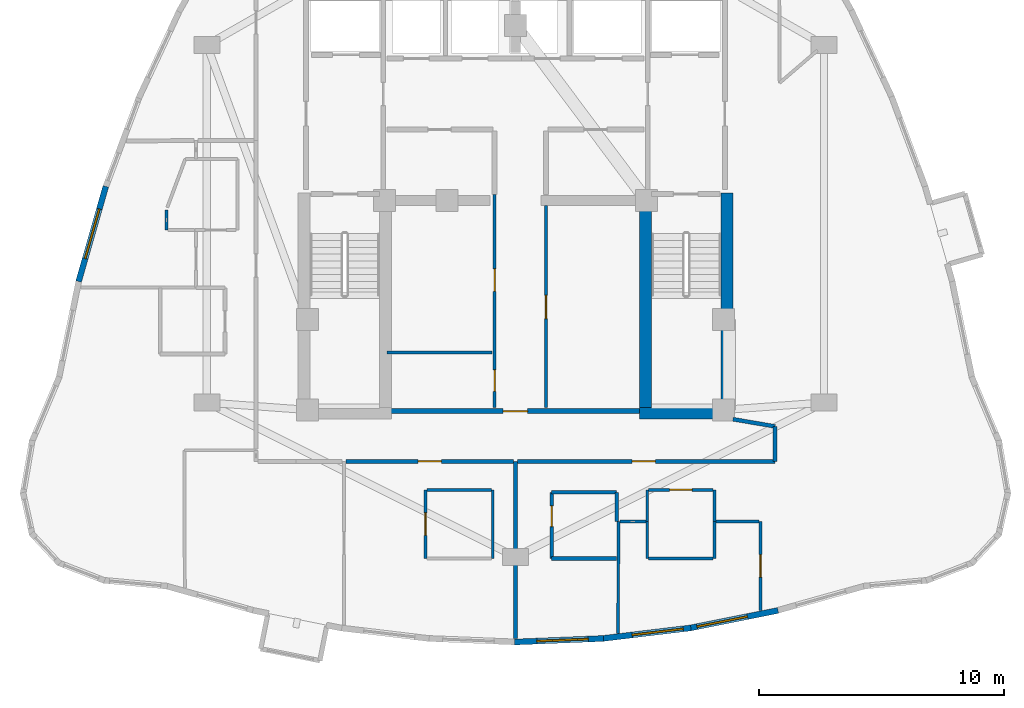
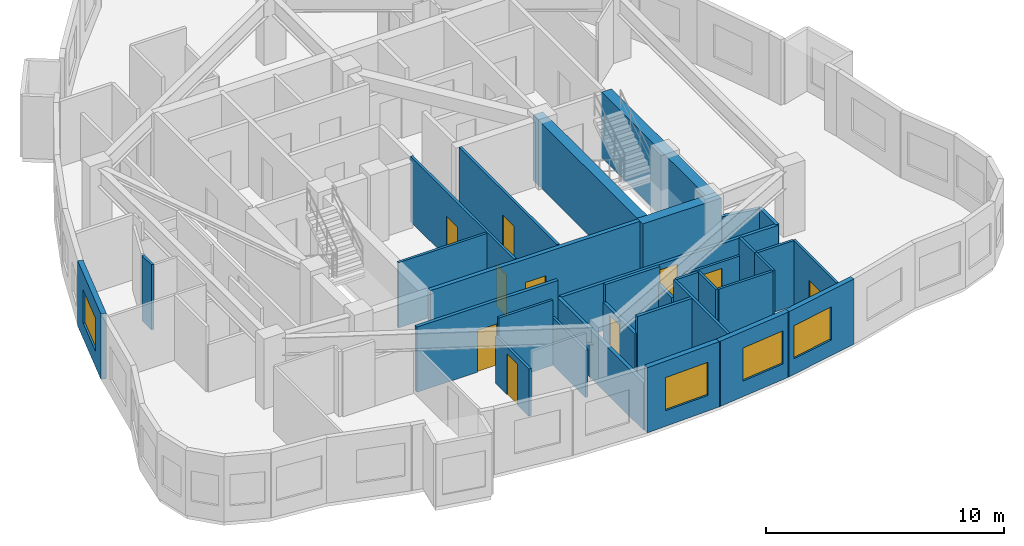
# One storey, part 8 of 13: 34 walls, 10 doors, 4 windows, 14 openings.
"""IFC4 building model written with IfcOpenShell, lengths in metres."""

from ifc_helpers import new_model, si_unit, direction, frame, frame_2d, origin, place, context, subcontext, project, spatial, rectangle, extrude, material, layer, layer_set, type_object, element, fill, save


model = new_model("IFC4")

# Units and contexts
model_context = context("Model", 3, precision=1e-05, world=origin(), true_north=direction((0.0, 1.0)))
body_context = subcontext(model_context, "Body", "Model", "MODEL_VIEW")
ifc_project = project(units=[si_unit("LENGTHUNIT", "METRE"), si_unit("AREAUNIT", "SQUARE_METRE"), si_unit("VOLUMEUNIT", "CUBIC_METRE"), si_unit("PLANEANGLEUNIT", "RADIAN"), si_unit("MASSUNIT", "GRAM", prefix="KILO")], contexts=[model_context])

# Site, building, storey
site_placement = place(None, origin())
site = spatial("IfcSite", under=ifc_project, at=site_placement, CompositionType="ELEMENT")
building_placement = place(site_placement, origin())
building = spatial("IfcBuilding", under=site, at=building_placement, Name="Miruveldt Soraemaru", CompositionType="ELEMENT")
storey_placement = place(building_placement, frame((0.0, 0.0, 205.199951171875)))
storey = spatial("IfcBuildingStorey", under=building, at=storey_placement, Name="L56", CompositionType="ELEMENT", Elevation=205.199951171875)

# Walls
ifc_material_1 = material(Name="Concrete C60/75 (60 MPa)", Category="concrete")
ifc_layer_1 = layer(ifc_material_1, 0.47998046875, Name="Concrete C60/75 (60 MPa)", Category="concrete")
ifc_layer_set_1 = layer_set([ifc_layer_1], Name="Concrete C60/75 (60 MPa)")
wall_type_1 = type_object("IfcWallType", Name="WALL-CW-480", PredefinedType="SHEAR", material=ifc_layer_set_1)
wall_1_placement = place(storey_placement, frame((49.070068359375, 35.360107421875, 0.0), z_axis=(0.0, 0.0, 1.0), x_axis=(1.0, 0.0, 0.0)))
element("IfcWall", 1, at=wall_1_placement, inside=storey, type_object=wall_type_1, Name="L56 Central Core Shear Wall S2", PredefinedType="SHEAR", context=body_context, shape_type="SweptSolid", body=[
    extrude(rectangle(XDim=3.809814453125, YDim=0.47998046875, at=frame_2d((1.90478515625, 0.0))), origin(), (0.0, 0.0, 1.0), 3.344970703125),
])
wall_2_placement = place(storey_placement, frame((52.639892578125, 35.1201171875, 0.0), z_axis=(0.0, 0.0, 1.0), x_axis=(0.0, 1.0, 0.0)))
element("IfcWall", 2, at=wall_2_placement, inside=storey, type_object=wall_type_1, Name="L56 Central Core Shear Wall E1", PredefinedType="SHEAR", context=body_context, shape_type="SweptSolid", body=[
    extrude(rectangle(XDim=9.22998046875, YDim=0.47998046875, at=frame_2d((4.614990234375, 0.0))), origin(), (0.0, 0.0, 1.0), 3.344970703125),
])
wall_3_placement = place(storey_placement, frame((49.31005859375, 35.39990234375, 0.0), z_axis=(0.0, 0.0, 1.0), x_axis=(0.0, 1.0, 0.0)))
element("IfcWall", 3, at=wall_3_placement, inside=storey, type_object=wall_type_1, Name="L56 Central Core Shear Wall SE-INT", PredefinedType="SHEAR", context=body_context, shape_type="SweptSolid", body=[
    extrude(rectangle(XDim=8.9501953125, YDim=0.47998046875, at=frame_2d((4.47509765625, 0.0))), origin(), (0.0, 0.0, 1.0), 3.344970703125),
])

# Wall, opening, window
ifc_material_2 = material(Name="Precast concrete C45/55 (45 MPa)", Category="concrete")
ifc_layer_2 = layer(ifc_material_2, 0.239990234375, Name="Precast concrete C45/55 (45 MPa)", Category="concrete")
ifc_layer_set_2 = layer_set([ifc_layer_2], Name="Precast concrete C45/55 (45 MPa)")
wall_type_2 = type_object("IfcWallType", Name="WALL-EXT-PC240", PredefinedType="SOLIDWALL", material=ifc_layer_set_2)
wall_4_placement = place(storey_placement, frame((27.270263671875, 44.625732421875, 0.0), z_axis=(0.0, 0.0, 1.0), x_axis=(-0.274960878959, -0.961455415005, 0.0)))
wall_4 = element("IfcWall", 4, at=wall_4_placement, inside=storey, type_object=wall_type_2, Name="L56 Precast Concrete Facade Wall 13", PredefinedType="SOLIDWALL", context=body_context, shape_type="SweptSolid", body=[
    extrude(rectangle(XDim=4.03466796875, YDim=0.239990234375, at=frame_2d((2.017333984375, 0.0))), origin(), (0.0, 0.0, 1.0), 3.344970703125),
])
opening_1_placement = place(wall_4_placement, frame((0.9580078125, 0.0, 0.800048828125)))
opening_1 = element("IfcOpeningElement", 5, at=opening_1_placement, cuts=wall_4, Name="Opening WN-1", PredefinedType="OPENING", context=body_context, shape_type="SweptSolid", body=[
    extrude(rectangle(XDim=2.10009765625, YDim=1.699951171875, at=frame_2d((1.050048828125, 0.85009765625))), frame((0.0, 0.1298828125, 0.0), z_axis=(0.0, -1.0, 0.0), x_axis=(1.0, 0.0, 0.0)), (0.0, 0.0, 1.0), 0.260009765625),
])
ifc_material_3 = material(Name="Triple low-e insulated glazing", Category="glass")
window_type = type_object("IfcWindowType", Name="WIN-PUNCH-2100x1700", PartitioningType="SINGLE_PANEL", PredefinedType="WINDOW", material=ifc_material_3)
window_1_placement = place(opening_1_placement, origin())
window_1 = element("IfcWindow", 6, at=window_1_placement, inside=storey, type_object=window_type, Name="L56 Punched Triple-Glazed Window 13.1", OverallHeight=1.699951171875, OverallWidth=2.10009765625, PartitioningType="SINGLE_PANEL", PredefinedType="WINDOW", context=body_context, shape_type="SweptSolid", body=[
    extrude(rectangle(XDim=2.10009765625, YDim=1.699951171875, at=frame_2d((1.050048828125, 0.85009765625))), frame((0.0, 0.030029296875, 0.0), z_axis=(0.0, -1.0, 0.0), x_axis=(1.0, 0.0, 0.0)), (0.0, 0.0, 1.0), 0.06005859375),
])
fill(opening_1, window_1)

wall_5_placement = place(storey_placement, frame((43.965087890625, 26.022705078125, 0.0), z_axis=(0.0, 0.0, 1.0), x_axis=(0.999201387771, 0.039957310688, 0.0)))
wall_5 = element("IfcWall", 7, at=wall_5_placement, inside=storey, type_object=wall_type_2, Name="L56 Precast Concrete Facade Wall 25", PredefinedType="SOLIDWALL", context=body_context, shape_type="SweptSolid", body=[
    extrude(rectangle(XDim=3.635498046875, YDim=0.239990234375, at=frame_2d((1.81787109375, 0.0))), origin(), (0.0, 0.0, 1.0), 3.344970703125),
])
opening_2_placement = place(wall_5_placement, frame((0.907958984375, 0.0, 0.800048828125)))
opening_2 = element("IfcOpeningElement", 8, at=opening_2_placement, cuts=wall_5, Name="Opening WN-1", PredefinedType="OPENING", context=body_context, shape_type="SweptSolid", body=[
    extrude(rectangle(XDim=2.10009765625, YDim=1.699951171875, at=frame_2d((1.050048828125, 0.85009765625))), frame((0.0, 0.1298828125, 0.0), z_axis=(0.0, -1.0, 0.0), x_axis=(1.0, 0.0, 0.0)), (0.0, 0.0, 1.0), 0.260009765625),
])
window_2_placement = place(opening_2_placement, origin())
window_2 = element("IfcWindow", 9, at=window_2_placement, inside=storey, type_object=window_type, Name="L56 Punched Triple-Glazed Window 25.1", OverallHeight=1.699951171875, OverallWidth=2.10009765625, PartitioningType="SINGLE_PANEL", PredefinedType="WINDOW", context=body_context, shape_type="SweptSolid", body=[
    extrude(rectangle(XDim=2.10009765625, YDim=1.699951171875, at=frame_2d((1.050048828125, 0.85009765625))), frame((0.0, 0.030029296875, 0.0), z_axis=(0.0, -1.0, 0.0), x_axis=(1.0, 0.0, 0.0)), (0.0, 0.0, 1.0), 0.06005859375),
])
fill(opening_2, window_2)

wall_6_placement = place(storey_placement, frame((47.52783203125, 26.162353515625, 0.0), z_axis=(0.0, 0.0, 1.0), x_axis=(0.992878733164, 0.119129430577, 0.0)))
wall_6 = element("IfcWall", 10, at=wall_6_placement, inside=storey, type_object=wall_type_2, Name="L56 Precast Concrete Facade Wall 26", PredefinedType="SOLIDWALL", context=body_context, shape_type="SweptSolid", body=[
    extrude(rectangle(XDim=3.658203125, YDim=0.239990234375, at=frame_2d((1.8291015625, 0.0))), origin(), (0.0, 0.0, 1.0), 3.344970703125),
])
opening_3_placement = place(wall_6_placement, frame((1.241943359375, 0.0, 0.800048828125)))
opening_3 = element("IfcOpeningElement", 11, at=opening_3_placement, cuts=wall_6, Name="Opening WN-1", PredefinedType="OPENING", context=body_context, shape_type="SweptSolid", body=[
    extrude(rectangle(XDim=2.10009765625, YDim=1.699951171875, at=frame_2d((1.050048828125, 0.85009765625))), frame((0.0, 0.1298828125, 0.0), z_axis=(0.0, -1.0, 0.0), x_axis=(1.0, 0.0, 0.0)), (0.0, 0.0, 1.0), 0.260009765625),
])
window_3_placement = place(opening_3_placement, origin())
window_3 = element("IfcWindow", 12, at=window_3_placement, inside=storey, type_object=window_type, Name="L56 Punched Triple-Glazed Window 26.1", OverallHeight=1.699951171875, OverallWidth=2.10009765625, PartitioningType="SINGLE_PANEL", PredefinedType="WINDOW", context=body_context, shape_type="SweptSolid", body=[
    extrude(rectangle(XDim=2.10009765625, YDim=1.699951171875, at=frame_2d((1.050048828125, 0.85009765625))), frame((0.0, 0.030029296875, 0.0), z_axis=(0.0, -1.0, 0.0), x_axis=(1.0, 0.0, 0.0)), (0.0, 0.0, 1.0), 0.06005859375),
])
fill(opening_3, window_3)

wall_7_placement = place(storey_placement, frame((51.0908203125, 26.587158203125, 0.0), z_axis=(0.0, 0.0, 1.0), x_axis=(0.980575603831, 0.196141492732, 0.0)))
wall_7 = element("IfcWall", 13, at=wall_7_placement, inside=storey, type_object=wall_type_2, Name="L56 Precast Concrete Facade Wall 27", PredefinedType="SOLIDWALL", context=body_context, shape_type="SweptSolid", body=[
    extrude(rectangle(XDim=3.703125, YDim=0.239990234375, at=frame_2d((1.8515625, 0.0))), origin(), (0.0, 0.0, 1.0), 3.344970703125),
])
opening_4_placement = place(wall_7_placement, frame((0.327880859375, 0.0, 0.800048828125)))
opening_4 = element("IfcOpeningElement", 14, at=opening_4_placement, cuts=wall_7, Name="Opening WN-1", PredefinedType="OPENING", context=body_context, shape_type="SweptSolid", body=[
    extrude(rectangle(XDim=2.10009765625, YDim=1.699951171875, at=frame_2d((1.050048828125, 0.85009765625))), frame((0.0, 0.1298828125, 0.0), z_axis=(0.0, -1.0, 0.0), x_axis=(1.0, 0.0, 0.0)), (0.0, 0.0, 1.0), 0.260009765625),
])
window_4_placement = place(opening_4_placement, origin())
window_4 = element("IfcWindow", 15, at=window_4_placement, inside=storey, type_object=window_type, Name="L56 Punched Triple-Glazed Window 27.1", OverallHeight=1.699951171875, OverallWidth=2.10009765625, PartitioningType="SINGLE_PANEL", PredefinedType="WINDOW", context=body_context, shape_type="SweptSolid", body=[
    extrude(rectangle(XDim=2.10009765625, YDim=1.699951171875, at=frame_2d((1.050048828125, 0.85009765625))), frame((0.0, 0.030029296875, 0.0), z_axis=(0.0, -1.0, 0.0), x_axis=(1.0, 0.0, 0.0)), (0.0, 0.0, 1.0), 0.06005859375),
])
fill(opening_4, window_4)

# Wall, openings, doors
ifc_material_4 = material(Name="Gypsum plasterboard lining", Category="gypsum")
ifc_layer_3 = layer(ifc_material_4, 0.1201171875, Name="Gypsum plasterboard lining", Category="gypsum")
ifc_layer_set_3 = layer_set([ifc_layer_3], Name="Gypsum plasterboard lining")
wall_type_3 = type_object("IfcWallType", Name="WALL-INT-P120", PredefinedType="PARTITIONING", material=ifc_layer_set_3)
wall_8_placement = place(storey_placement, frame((43.14990234375, 35.60009765625, 0.0), z_axis=(0.0, 0.0, 1.0), x_axis=(0.0, 1.0, 0.0)))
wall_8 = element("IfcWall", 16, at=wall_8_placement, inside=storey, type_object=wall_type_3, Name="L56 Core Compartment Wall SP-WL", PredefinedType="PARTITIONING", context=body_context, shape_type="SweptSolid", body=[
    extrude(rectangle(XDim=8.699951171875, YDim=0.1201171875, at=frame_2d((4.35009765625, 0.0))), origin(), (0.0, 0.0, 1.0), 3.344970703125),
])
opening_5_placement = place(wall_8_placement, frame((0.659912109375, 0.0, 0.0)))
opening_5 = element("IfcOpeningElement", 17, at=opening_5_placement, cuts=wall_8, Name="Opening D4", PredefinedType="OPENING", context=body_context, shape_type="SweptSolid", body=[
    extrude(rectangle(XDim=0.8798828125, YDim=2.10009765625, at=frame_2d((0.43994140625, 1.050048828125))), frame((0.0, 0.070068359375, 0.0), z_axis=(0.0, -1.0, 0.0), x_axis=(1.0, 0.0, 0.0)), (0.0, 0.0, 1.0), 0.14013671875),
])
opening_6_placement = place(wall_8_placement, frame((4.739990234375, 0.0, 0.0)))
opening_6 = element("IfcOpeningElement", 18, at=opening_6_placement, cuts=wall_8, Name="Opening D3A", PredefinedType="OPENING", context=body_context, shape_type="SweptSolid", body=[
    extrude(rectangle(XDim=0.919921875, YDim=2.10009765625, at=frame_2d((0.4599609375, 1.050048828125))), frame((0.0, 0.070068359375, 0.0), z_axis=(0.0, -1.0, 0.0), x_axis=(1.0, 0.0, 0.0)), (0.0, 0.0, 1.0), 0.14013671875),
])
ifc_material_5 = material(Name="Anodised aluminium EN AW-6063 T6", Category="aluminium")
door_type_1 = type_object("IfcDoorType", Name="DOOR-INT-880", OperationType="NOTDEFINED", PredefinedType="DOOR", material=ifc_material_5)
door_1_placement = place(opening_5_placement, origin())
door_1 = element("IfcDoor", 19, at=door_1_placement, inside=storey, type_object=door_type_1, Name="L56 Fire Door", OperationType="SINGLE_SWING_LEFT", OverallHeight=2.10009765625, OverallWidth=0.8798828125, PredefinedType="DOOR", context=body_context, shape_type="SweptSolid", body=[
    extrude(rectangle(XDim=0.8798828125, YDim=2.10009765625, at=frame_2d((0.43994140625, 1.050048828125))), frame((0.0, 0.02490234375, 0.0), z_axis=(0.0, -1.0, 0.0), x_axis=(1.0, 0.0, 0.0)), (0.0, 0.0, 1.0), 0.050048828125),
])
fill(opening_5, door_1)
door_type_2 = type_object("IfcDoorType", Name="DOOR-INT-920", OperationType="NOTDEFINED", PredefinedType="DOOR", material=ifc_material_5)
door_2_placement = place(opening_6_placement, origin())
door_2 = element("IfcDoor", 20, at=door_2_placement, inside=storey, type_object=door_type_2, Name="L56 Fire Door", OperationType="SINGLE_SWING_LEFT", OverallHeight=2.10009765625, OverallWidth=0.919921875, PredefinedType="DOOR", context=body_context, shape_type="SweptSolid", body=[
    extrude(rectangle(XDim=0.919921875, YDim=2.10009765625, at=frame_2d((0.4599609375, 1.050048828125))), frame((0.0, 0.02490234375, 0.0), z_axis=(0.0, -1.0, 0.0), x_axis=(1.0, 0.0, 0.0)), (0.0, 0.0, 1.0), 0.050048828125),
])
fill(opening_6, door_2)

# Wall, opening, door
wall_9_placement = place(storey_placement, frame((45.25, 35.60009765625, 0.0), z_axis=(0.0, 0.0, 1.0), x_axis=(0.0, 1.0, 0.0)))
wall_9 = element("IfcWall", 21, at=wall_9_placement, inside=storey, type_object=wall_type_3, Name="L56 Core Compartment Wall SP-EL", PredefinedType="PARTITIONING", context=body_context, shape_type="SweptSolid", body=[
    extrude(rectangle(XDim=8.25, YDim=0.1201171875, at=frame_2d((4.125, 0.0))), origin(), (0.0, 0.0, 1.0), 3.344970703125),
])
opening_7_placement = place(wall_9_placement, frame((3.625, 0.0, 0.0)))
opening_7 = element("IfcOpeningElement", 22, at=opening_7_placement, cuts=wall_9, Name="Opening D2", PredefinedType="OPENING", context=body_context, shape_type="SweptSolid", body=[
    extrude(rectangle(XDim=0.949951171875, YDim=2.10009765625, at=frame_2d((0.47509765625, 1.050048828125))), frame((0.0, 0.070068359375, 0.0), z_axis=(0.0, -1.0, 0.0), x_axis=(1.0, 0.0, 0.0)), (0.0, 0.0, 1.0), 0.14013671875),
])
door_type_3 = type_object("IfcDoorType", Name="DOOR-INT-950", OperationType="NOTDEFINED", PredefinedType="DOOR", material=ifc_material_5)
door_3_placement = place(opening_7_placement, origin())
door_3 = element("IfcDoor", 23, at=door_3_placement, inside=storey, type_object=door_type_3, Name="L56 Fire Door", OperationType="SINGLE_SWING_LEFT", OverallHeight=2.10009765625, OverallWidth=0.949951171875, PredefinedType="DOOR", context=body_context, shape_type="SweptSolid", body=[
    extrude(rectangle(XDim=0.949951171875, YDim=2.10009765625, at=frame_2d((0.47509765625, 1.050048828125))), frame((0.0, 0.02490234375, 0.0), z_axis=(0.0, -1.0, 0.0), x_axis=(1.0, 0.0, 0.0)), (0.0, 0.0, 1.0), 0.050048828125),
])
fill(opening_7, door_3)

wall_10_placement = place(storey_placement, frame((54.012939453125, 30.949951171875, 0.0), z_axis=(0.0, 0.0, 1.0), x_axis=(-0.003015667831, -0.999995452863, 0.0)))
wall_10 = element("IfcWall", 24, at=wall_10_placement, inside=storey, type_object=wall_type_3, Name="L56 Partition Wall 52", PredefinedType="PARTITIONING", context=body_context, shape_type="SweptSolid", body=[
    extrude(rectangle(XDim=3.64306640625, YDim=0.1201171875, at=frame_2d((1.821533203125, 0.0))), origin(), (0.0, 0.0, 1.0), 3.344970703125),
])
opening_8_placement = place(wall_10_placement, frame((1.362060546875, 0.0, 0.0)))
opening_8 = element("IfcOpeningElement", 25, at=opening_8_placement, cuts=wall_10, Name="Opening D3A", PredefinedType="OPENING", context=body_context, shape_type="SweptSolid", body=[
    extrude(rectangle(XDim=0.919921875, YDim=2.10009765625, at=frame_2d((0.4599609375, 1.050048828125))), frame((0.0, 0.070068359375, 0.0), z_axis=(0.0, -1.0, 0.0), x_axis=(1.0, 0.0, 0.0)), (0.0, 0.0, 1.0), 0.14013671875),
])
door_4_placement = place(opening_8_placement, origin())
door_4 = element("IfcDoor", 26, at=door_4_placement, inside=storey, type_object=door_type_2, Name="L56 Unit 5604 BD1 Door", OperationType="SINGLE_SWING_LEFT", OverallHeight=2.10009765625, OverallWidth=0.919921875, PredefinedType="DOOR", context=body_context, shape_type="SweptSolid", body=[
    extrude(rectangle(XDim=0.919921875, YDim=2.10009765625, at=frame_2d((0.4599609375, 1.050048828125))), frame((0.0, 0.02490234375, 0.0), z_axis=(0.0, -1.0, 0.0), x_axis=(1.0, 0.0, 0.0)), (0.0, 0.0, 1.0), 0.050048828125),
])
fill(opening_8, door_4)

wall_11_placement = place(storey_placement, frame((40.322021484375, 32.236083984375, 0.0), z_axis=(0.0, 0.0, 1.0), x_axis=(0.0, -1.0, 0.0)))
wall_11 = element("IfcWall", 27, at=wall_11_placement, inside=storey, type_object=wall_type_3, Name="L56 Partition Wall 28", PredefinedType="PARTITIONING", context=body_context, shape_type="SweptSolid", body=[
    extrude(rectangle(XDim=2.800048828125, YDim=0.1201171875, at=frame_2d((1.39990234375, 0.0))), origin(), (0.0, 0.0, 1.0), 2.43310546875),
])
opening_9_placement = place(wall_11_placement, frame((0.93994140625, 0.0, 0.0)))
opening_9 = element("IfcOpeningElement", 28, at=opening_9_placement, cuts=wall_11, Name="Opening D3A", PredefinedType="OPENING", context=body_context, shape_type="SweptSolid", body=[
    extrude(rectangle(XDim=0.919921875, YDim=2.10009765625, at=frame_2d((0.4599609375, 1.050048828125))), frame((0.0, 0.070068359375, 0.0), z_axis=(0.0, -1.0, 0.0), x_axis=(1.0, 0.0, 0.0)), (0.0, 0.0, 1.0), 0.14013671875),
])
door_5_placement = place(opening_9_placement, origin())
door_5 = element("IfcDoor", 29, at=door_5_placement, inside=storey, type_object=door_type_2, Name="L56 Unit 5602 KIT Door", OperationType="SINGLE_SWING_RIGHT", OverallHeight=2.10009765625, OverallWidth=0.919921875, PredefinedType="DOOR", context=body_context, shape_type="SweptSolid", body=[
    extrude(rectangle(XDim=0.919921875, YDim=2.10009765625, at=frame_2d((0.4599609375, 1.050048828125))), frame((0.0, 0.02490234375, 0.0), z_axis=(0.0, -1.0, 0.0), x_axis=(1.0, 0.0, 0.0)), (0.0, 0.0, 1.0), 0.050048828125),
])
fill(opening_9, door_5)

wall_12_placement = place(storey_placement, frame((52.070068359375, 32.236083984375, 0.0), z_axis=(0.0, 0.0, 1.0), x_axis=(-1.0, 0.0, 0.0)))
wall_12 = element("IfcWall", 30, at=wall_12_placement, inside=storey, type_object=wall_type_3, Name="L56 Partition Wall 48", PredefinedType="PARTITIONING", context=body_context, shape_type="SweptSolid", body=[
    extrude(rectangle(XDim=2.630126953125, YDim=0.1201171875, at=frame_2d((1.31494140625, 0.0))), origin(), (0.0, 0.0, 1.0), 2.43310546875),
])
opening_10_placement = place(wall_12_placement, frame((0.85498046875, 0.0, 0.0)))
opening_10 = element("IfcOpeningElement", 31, at=opening_10_placement, cuts=wall_12, Name="Opening D3A", PredefinedType="OPENING", context=body_context, shape_type="SweptSolid", body=[
    extrude(rectangle(XDim=0.919921875, YDim=2.10009765625, at=frame_2d((0.4599609375, 1.050048828125))), frame((0.0, 0.070068359375, 0.0), z_axis=(0.0, -1.0, 0.0), x_axis=(1.0, 0.0, 0.0)), (0.0, 0.0, 1.0), 0.14013671875),
])
door_6_placement = place(opening_10_placement, origin())
door_6 = element("IfcDoor", 32, at=door_6_placement, inside=storey, type_object=door_type_2, Name="L56 Unit 5604 KIT Door", OperationType="SINGLE_SWING_RIGHT", OverallHeight=2.10009765625, OverallWidth=0.919921875, PredefinedType="DOOR", context=body_context, shape_type="SweptSolid", body=[
    extrude(rectangle(XDim=0.919921875, YDim=2.10009765625, at=frame_2d((0.4599609375, 1.050048828125))), frame((0.0, 0.02490234375, 0.0), z_axis=(0.0, -1.0, 0.0), x_axis=(1.0, 0.0, 0.0)), (0.0, 0.0, 1.0), 0.050048828125),
])
fill(opening_10, door_6)

# Walls
wall_13_placement = place(storey_placement, frame((48.193115234375, 26.3779296875, 0.0), z_axis=(0.0, 0.0, 1.0), x_axis=(0.001495165734, 0.999998882239, 0.0)))
element("IfcWall", 33, at=wall_13_placement, inside=storey, type_object=wall_type_3, Name="L56 Partition Wall 64", PredefinedType="PARTITIONING", context=body_context, shape_type="SweptSolid", body=[
    extrude(rectangle(XDim=4.572021484375, YDim=0.1201171875, at=frame_2d((2.2861328125, 0.0))), origin(), (0.0, 0.0, 1.0), 3.344970703125),
])
wall_14_placement = place(storey_placement, frame((38.75, 37.85009765625, 0.0), z_axis=(0.0, 0.0, 1.0), x_axis=(1.0, 0.0, 0.0)))
element("IfcWall", 34, at=wall_14_placement, inside=storey, type_object=wall_type_3, Name="L56 Core Compartment Wall RL-W1H", PredefinedType="PARTITIONING", context=body_context, shape_type="SweptSolid", body=[
    extrude(rectangle(XDim=4.300048828125, YDim=0.1201171875, at=frame_2d((2.14990234375, 0.0))), origin(), (0.0, 0.0, 1.0), 3.344970703125),
])
wall_15_placement = place(storey_placement, frame((43.072021484375, 29.43603515625, 0.0), z_axis=(0.0, 0.0, 1.0), x_axis=(0.0, 1.0, 0.0)))
element("IfcWall", 35, at=wall_15_placement, inside=storey, type_object=wall_type_3, Name="L56 Partition Wall 26", PredefinedType="PARTITIONING", context=body_context, shape_type="SweptSolid", body=[
    extrude(rectangle(XDim=2.800048828125, YDim=0.1201171875, at=frame_2d((1.39990234375, 0.0))), origin(), (0.0, 0.0, 1.0), 2.43310546875),
])
wall_16_placement = place(storey_placement, frame((43.011962890625, 32.236083984375, 0.0), z_axis=(0.0, 0.0, 1.0), x_axis=(-1.0, 0.0, 0.0)))
element("IfcWall", 36, at=wall_16_placement, inside=storey, type_object=wall_type_3, Name="L56 Partition Wall 27", PredefinedType="PARTITIONING", context=body_context, shape_type="SweptSolid", body=[
    extrude(rectangle(XDim=2.6298828125, YDim=0.1201171875, at=frame_2d((1.31494140625, 0.0))), origin(), (0.0, 0.0, 1.0), 3.344970703125),
])
wall_17_placement = place(storey_placement, frame((49.43994140625, 29.43603515625, 0.0), z_axis=(0.0, 0.0, 1.0), x_axis=(1.0, 0.0, 0.0)))
element("IfcWall", 37, at=wall_17_placement, inside=storey, type_object=wall_type_3, Name="L56 Partition Wall 54", PredefinedType="PARTITIONING", context=body_context, shape_type="SweptSolid", body=[
    extrude(rectangle(XDim=2.630126953125, YDim=0.1201171875, at=frame_2d((1.31494140625, 0.0))), origin(), (0.0, 0.0, 1.0), 3.344970703125),
])
wall_18_placement = place(storey_placement, frame((52.18994140625, 30.949951171875, 0.0), z_axis=(0.0, 0.0, 1.0), x_axis=(1.0, 0.0, 0.0)))
element("IfcWall", 38, at=wall_18_placement, inside=storey, type_object=wall_type_3, Name="L56 Partition Wall 51", PredefinedType="PARTITIONING", context=body_context, shape_type="SweptSolid", body=[
    extrude(rectangle(XDim=1.762939453125, YDim=0.1201171875, at=frame_2d((0.88134765625, 0.0))), origin(), (0.0, 0.0, 1.0), 3.344970703125),
])
for number, where, z_axis, x_axis, name in (
    (39, (49.3798828125, 30.949951171875, 0.0), (0.0, 0.0, 1.0), (0.0, -1.0, 0.0), "L56 Partition Wall 53"),
    (40, (52.1298828125, 29.43603515625, 0.0), (0.0, 0.0, 1.0), (0.0, 1.0, 0.0), "L56 Partition Wall 55"),
):
    element("IfcWall", number, at=place(storey_placement, frame(where, z_axis=z_axis, x_axis=x_axis)), inside=storey, type_object=wall_type_3, Name=name, PredefinedType="PARTITIONING", context=body_context, shape_type="SweptSolid", body=[
        extrude(rectangle(XDim=1.513916015625, YDim=0.1201171875, at=frame_2d((0.7568359375, 0.0))), origin(), (0.0, 0.0, 1.0), 3.344970703125),
    ])
wall_19_placement = place(storey_placement, frame((52.1298828125, 30.949951171875, 0.0), z_axis=(0.0, 0.0, 1.0), x_axis=(0.0, 1.0, 0.0)))
element("IfcWall", 41, at=wall_19_placement, inside=storey, type_object=wall_type_3, Name="L56 Partition Wall 47", PredefinedType="PARTITIONING", context=body_context, shape_type="SweptSolid", body=[
    extrude(rectangle(XDim=1.2861328125, YDim=0.1201171875, at=frame_2d((0.64306640625, 0.0))), origin(), (0.0, 0.0, 1.0), 3.344970703125),
])
wall_20_placement = place(storey_placement, frame((49.3798828125, 32.236083984375, 0.0), z_axis=(0.0, 0.0, 1.0), x_axis=(0.0, -1.0, 0.0)))
element("IfcWall", 42, at=wall_20_placement, inside=storey, type_object=wall_type_3, Name="L56 Partition Wall 49", PredefinedType="PARTITIONING", context=body_context, shape_type="SweptSolid", body=[
    extrude(rectangle(XDim=1.2861328125, YDim=0.1201171875, at=frame_2d((0.64306640625, 0.0))), origin(), (0.0, 0.0, 1.0), 2.43310546875),
])
wall_21_placement = place(storey_placement, frame((48.260009765625, 30.949951171875, 0.0), z_axis=(0.0, 0.0, 1.0), x_axis=(1.0, 0.0, 0.0)))
element("IfcWall", 43, at=wall_21_placement, inside=storey, type_object=wall_type_3, Name="L56 Partition Wall 50", PredefinedType="PARTITIONING", context=body_context, shape_type="SweptSolid", body=[
    extrude(rectangle(XDim=1.06005859375, YDim=0.1201171875, at=frame_2d((0.530029296875, 0.0))), origin(), (0.0, 0.0, 1.0), 3.344970703125),
])
wall_22_placement = place(storey_placement, frame((29.75, 43.658935546875, 0.0), z_axis=(0.0, 0.0, 1.0), x_axis=(0.0, -1.0, 0.0)))
element("IfcWall", 44, at=wall_22_placement, inside=storey, type_object=wall_type_3, Name="L56 Partition Wall 41", PredefinedType="PARTITIONING", context=body_context, shape_type="SweptSolid", body=[
    extrude(rectangle(XDim=0.808837890625, YDim=0.1201171875, at=frame_2d((0.404296875, 0.0))), origin(), (0.0, 0.0, 1.0), 3.344970703125),
])

# Wall, opening, door
ifc_layer_4 = layer(ifc_material_4, 0.14990234375, Name="Gypsum plasterboard lining", Category="gypsum")
ifc_layer_set_4 = layer_set([ifc_layer_4], Name="Gypsum plasterboard lining")
wall_type_4 = type_object("IfcWallType", Name="WALL-INT-PLUMB", PredefinedType="PLUMBINGWALL", material=ifc_layer_set_4)
wall_23_placement = place(storey_placement, frame((45.47998046875, 32.135986328125, 0.0), z_axis=(0.0, 0.0, 1.0), x_axis=(0.0, -1.0, 0.0)))
wall_23 = element("IfcWall", 45, at=wall_23_placement, inside=storey, type_object=wall_type_4, Name="L56 Partition Wall 45", PredefinedType="PLUMBINGWALL", context=body_context, shape_type="SweptSolid", body=[
    extrude(rectangle(XDim=2.699951171875, YDim=0.14990234375, at=frame_2d((1.35009765625, 0.0))), origin(), (0.0, 0.0, 1.0), 2.43310546875),
])
opening_11_placement = place(wall_23_placement, frame((0.550048828125, 0.0, 0.0)))
opening_11 = element("IfcOpeningElement", 46, at=opening_11_placement, cuts=wall_23, Name="Opening FD3", PredefinedType="OPENING", context=body_context, shape_type="SweptSolid", body=[
    extrude(rectangle(XDim=0.85009765625, YDim=2.10009765625, at=frame_2d((0.425048828125, 1.050048828125))), frame((0.0, 0.0849609375, 0.0), z_axis=(0.0, -1.0, 0.0), x_axis=(1.0, 0.0, 0.0)), (0.0, 0.0, 1.0), 0.169921875),
])
door_type_4 = type_object("IfcDoorType", Name="DOOR-FD3-850", OperationType="NOTDEFINED", PredefinedType="DOOR", material=ifc_material_5)
door_7_placement = place(opening_11_placement, origin())
door_7 = element("IfcDoor", 47, at=door_7_placement, inside=storey, type_object=door_type_4, Name="L56 Unit 5604 BTH Door", OperationType="SINGLE_SWING_LEFT", OverallHeight=2.10009765625, OverallWidth=0.85009765625, PredefinedType="DOOR", context=body_context, shape_type="SweptSolid", body=[
    extrude(rectangle(XDim=0.85009765625, YDim=2.10009765625, at=frame_2d((0.425048828125, 1.050048828125))), frame((0.0, 0.02490234375, 0.0), z_axis=(0.0, -1.0, 0.0), x_axis=(1.0, 0.0, 0.0)), (0.0, 0.0, 1.0), 0.050048828125),
])
fill(opening_11, door_7)

# Walls
wall_24_placement = place(storey_placement, frame((48.1298828125, 30.9501953125, 0.0), z_axis=(0.0, 0.0, 1.0), x_axis=(0.0, 1.0, 0.0)))
element("IfcWall", 48, at=wall_24_placement, inside=storey, type_object=wall_type_4, Name="L56 Partition Wall 43", PredefinedType="PLUMBINGWALL", context=body_context, shape_type="SweptSolid", body=[
    extrude(rectangle(XDim=1.185791015625, YDim=0.14990234375, at=frame_2d((0.5927734375, 0.0))), origin(), (0.0, 0.0, 1.0), 2.43310546875),
])
for number, where, z_axis, x_axis, name in (
    (49, (48.1298828125, 32.135986328125, 0.0), (0.0, 0.0, 1.0), (-1.0, 0.0, 0.0), "L56 Partition Wall 44"),
    (50, (45.47998046875, 29.43603515625, 0.0), (0.0, 0.0, 1.0), (1.0, 0.0, 0.0), "L56 Partition Wall 46"),
):
    element("IfcWall", number, at=place(storey_placement, frame(where, z_axis=z_axis, x_axis=x_axis)), inside=storey, type_object=wall_type_4, Name=name, PredefinedType="PLUMBINGWALL", context=body_context, shape_type="SweptSolid", body=[
        extrude(rectangle(XDim=2.64990234375, YDim=0.14990234375, at=frame_2d((1.324951171875, 0.0))), origin(), (0.0, 0.0, 1.0), 3.344970703125),
    ])

# Wall, opening, door
ifc_material_6 = material(Name="Concrete C40/50 (40 MPa)", Category="concrete")
ifc_layer_5 = layer(ifc_material_6, 0.159912109375, Name="Concrete C40/50 (40 MPa)", Category="concrete")
ifc_layer_set_5 = layer_set([ifc_layer_5], Name="Concrete C40/50 (40 MPa)")
wall_type_5 = type_object("IfcWallType", Name="WALL-INT-RC160", PredefinedType="SOLIDWALL", material=ifc_layer_set_5)
wall_25_placement = place(storey_placement, frame((44.0849609375, 33.39990234375, 0.0), z_axis=(0.0, 0.0, 1.0), x_axis=(1.0, 0.0, 0.0)))
wall_25 = element("IfcWall", 51, at=wall_25_placement, inside=storey, type_object=wall_type_5, Name="L56 Partition Wall 9", PredefinedType="SOLIDWALL", context=body_context, shape_type="SweptSolid", body=[
    extrude(rectangle(XDim=10.51513671875, YDim=0.159912109375, at=frame_2d((5.257568359375, 0.0))), origin(), (0.0, 0.0, 1.0), 2.43310546875),
])
opening_12_placement = place(wall_25_placement, frame((4.680908203125, 0.0, 0.0)))
opening_12 = element("IfcOpeningElement", 52, at=opening_12_placement, cuts=wall_25, Name="Opening FD2", PredefinedType="OPENING", context=body_context, shape_type="SweptSolid", body=[
    extrude(rectangle(XDim=0.949951171875, YDim=2.14990234375, at=frame_2d((0.47509765625, 1.074951171875))), frame((0.0, 0.08984375, 0.0), z_axis=(0.0, -1.0, 0.0), x_axis=(1.0, 0.0, 0.0)), (0.0, 0.0, 1.0), 0.179931640625),
])
door_type_5 = type_object("IfcDoorType", Name="DOOR-FD2-950", OperationType="NOTDEFINED", PredefinedType="DOOR", material=ifc_material_5)
door_8_placement = place(opening_12_placement, origin())
door_8 = element("IfcDoor", 53, at=door_8_placement, inside=storey, type_object=door_type_5, Name="L56 Unit 5604 Entrance Fire Door", OperationType="SINGLE_SWING_RIGHT", OverallHeight=2.14990234375, OverallWidth=0.949951171875, PredefinedType="DOOR", context=body_context, shape_type="SweptSolid", body=[
    extrude(rectangle(XDim=0.949951171875, YDim=2.14990234375, at=frame_2d((0.47509765625, 1.074951171875))), frame((0.0, 0.02490234375, 0.0), z_axis=(0.0, -1.0, 0.0), x_axis=(1.0, 0.0, 0.0)), (0.0, 0.0, 1.0), 0.050048828125),
])
fill(opening_12, door_8)

wall_26_placement = place(storey_placement, frame((37.074951171875, 33.39990234375, 0.0), z_axis=(0.0, 0.0, 1.0), x_axis=(1.0, 0.0, 0.0)))
wall_26 = element("IfcWall", 54, at=wall_26_placement, inside=storey, type_object=wall_type_5, Name="L56 Partition Wall 4", PredefinedType="SOLIDWALL", context=body_context, shape_type="SweptSolid", body=[
    extrude(rectangle(XDim=6.841064453125, YDim=0.159912109375, at=frame_2d((3.42041015625, 0.0))), origin(), (0.0, 0.0, 1.0), 3.344970703125),
])
opening_13_placement = place(wall_26_placement, frame((2.945068359375, 0.0, 0.0)))
opening_13 = element("IfcOpeningElement", 55, at=opening_13_placement, cuts=wall_26, Name="Opening FD2", PredefinedType="OPENING", context=body_context, shape_type="SweptSolid", body=[
    extrude(rectangle(XDim=0.949951171875, YDim=2.14990234375, at=frame_2d((0.47509765625, 1.074951171875))), frame((0.0, 0.08984375, 0.0), z_axis=(0.0, -1.0, 0.0), x_axis=(1.0, 0.0, 0.0)), (0.0, 0.0, 1.0), 0.179931640625),
])
door_9_placement = place(opening_13_placement, origin())
door_9 = element("IfcDoor", 56, at=door_9_placement, inside=storey, type_object=door_type_5, Name="L56 Unit 5602 Entrance Fire Door", OperationType="SINGLE_SWING_LEFT", OverallHeight=2.14990234375, OverallWidth=0.949951171875, PredefinedType="DOOR", context=body_context, shape_type="SweptSolid", body=[
    extrude(rectangle(XDim=0.949951171875, YDim=2.14990234375, at=frame_2d((0.47509765625, 1.074951171875))), frame((0.0, 0.02490234375, 0.0), z_axis=(0.0, -1.0, 0.0), x_axis=(1.0, 0.0, 0.0)), (0.0, 0.0, 1.0), 0.050048828125),
])
fill(opening_13, door_9)

# Walls
wall_27_placement = place(storey_placement, frame((44.0, 26.158935546875, 0.0), z_axis=(0.0, 0.0, 1.0), x_axis=(0.0, 1.0, 0.0)))
element("IfcWall", 57, at=wall_27_placement, inside=storey, type_object=wall_type_5, Name="L56 Partition Wall 31", PredefinedType="SOLIDWALL", context=body_context, shape_type="SweptSolid", body=[
    extrude(rectangle(XDim=7.236083984375, YDim=0.159912109375, at=frame_2d((3.6181640625, 0.0))), origin(), (0.0, 0.0, 1.0), 2.43310546875),
])
wall_28_placement = place(storey_placement, frame((54.60009765625, 34.825927734375, 0.0), z_axis=(0.0, 0.0, 1.0), x_axis=(-0.985689405536, 0.168571634072, 0.0)))
element("IfcWall", 58, at=wall_28_placement, inside=storey, type_object=wall_type_5, Name="L56 Partition Closure Return 2", PredefinedType="SOLIDWALL", context=body_context, shape_type="SweptSolid", body=[
    extrude(rectangle(XDim=1.7451171875, YDim=0.159912109375, at=frame_2d((0.87255859375, 0.0))), origin(), (0.0, 0.0, 1.0), 2.43310546875),
])
wall_29_placement = place(storey_placement, frame((54.60009765625, 33.39990234375, 0.0), z_axis=(0.0, 0.0, 1.0), x_axis=(0.0, 1.0, 0.0)))
element("IfcWall", 59, at=wall_29_placement, inside=storey, type_object=wall_type_5, Name="L56 Partition Wall 10", PredefinedType="SOLIDWALL", context=body_context, shape_type="SweptSolid", body=[
    extrude(rectangle(XDim=1.426025390625, YDim=0.159912109375, at=frame_2d((0.712890625, 0.0))), origin(), (0.0, 0.0, 1.0), 2.43310546875),
])

# Wall, opening, door
ifc_layer_6 = layer(ifc_material_6, 0.199951171875, Name="Concrete C40/50 (40 MPa)", Category="concrete")
ifc_layer_set_6 = layer_set([ifc_layer_6], Name="Concrete C40/50 (40 MPa)")
wall_type_6 = type_object("IfcWallType", Name="WALL-INT-RC200", PredefinedType="SOLIDWALL", material=ifc_layer_set_6)
wall_30_placement = place(storey_placement, frame((38.89990234375, 35.449951171875, 0.0), z_axis=(0.0, 0.0, 1.0), x_axis=(1.0, 0.0, 0.0)))
wall_30 = element("IfcWall", 60, at=wall_30_placement, inside=storey, type_object=wall_type_6, Name="L56 Core Compartment Wall CS-S", PredefinedType="SOLIDWALL", context=body_context, shape_type="SweptSolid", body=[
    extrude(rectangle(XDim=10.2001953125, YDim=0.199951171875, at=frame_2d((5.10009765625, 0.0))), origin(), (0.0, 0.0, 1.0), 3.344970703125),
])
opening_14_placement = place(wall_30_placement, frame((4.60009765625, 0.0, 0.0)))
opening_14 = element("IfcOpeningElement", 61, at=opening_14_placement, cuts=wall_30, Name="Opening FD1", PredefinedType="OPENING", context=body_context, shape_type="SweptSolid", body=[
    extrude(rectangle(XDim=1.0, YDim=2.14990234375, at=frame_2d((0.5, 1.074951171875))), frame((0.0, 0.10986328125, 0.0), z_axis=(0.0, -1.0, 0.0), x_axis=(1.0, 0.0, 0.0)), (0.0, 0.0, 1.0), 0.219970703125),
])
door_type_6 = type_object("IfcDoorType", Name="DOOR-FD1-1000", OperationType="NOTDEFINED", PredefinedType="DOOR", material=ifc_material_5)
door_10_placement = place(opening_14_placement, origin())
door_10 = element("IfcDoor", 62, at=door_10_placement, inside=storey, type_object=door_type_6, Name="L56 Core South Lobby Fire Door", OperationType="SINGLE_SWING_LEFT", OverallHeight=2.14990234375, OverallWidth=1.0, PredefinedType="DOOR", context=body_context, shape_type="SweptSolid", body=[
    extrude(rectangle(XDim=1.0, YDim=2.14990234375, at=frame_2d((0.5, 1.074951171875))), frame((0.0, 0.02490234375, 0.0), z_axis=(0.0, -1.0, 0.0), x_axis=(1.0, 0.0, 0.0)), (0.0, 0.0, 1.0), 0.050048828125),
])
fill(opening_14, door_10)

save(model, "model.ifc")
